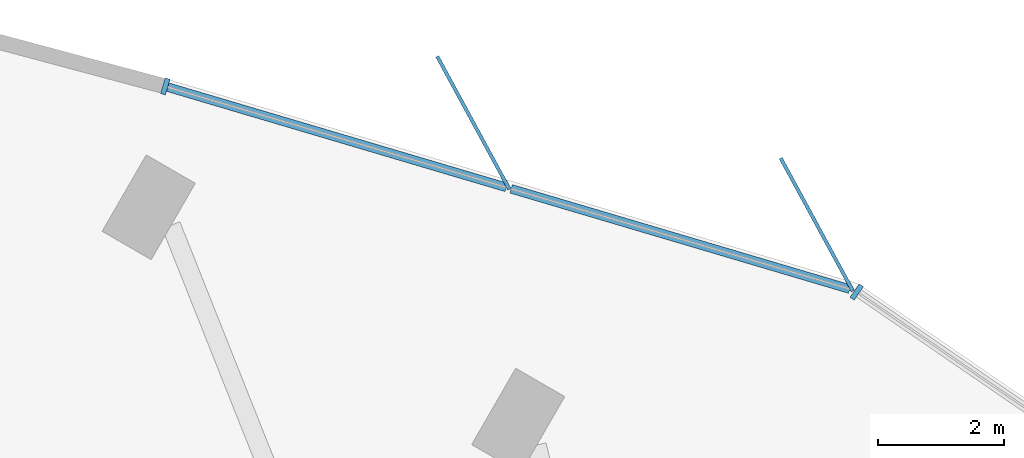
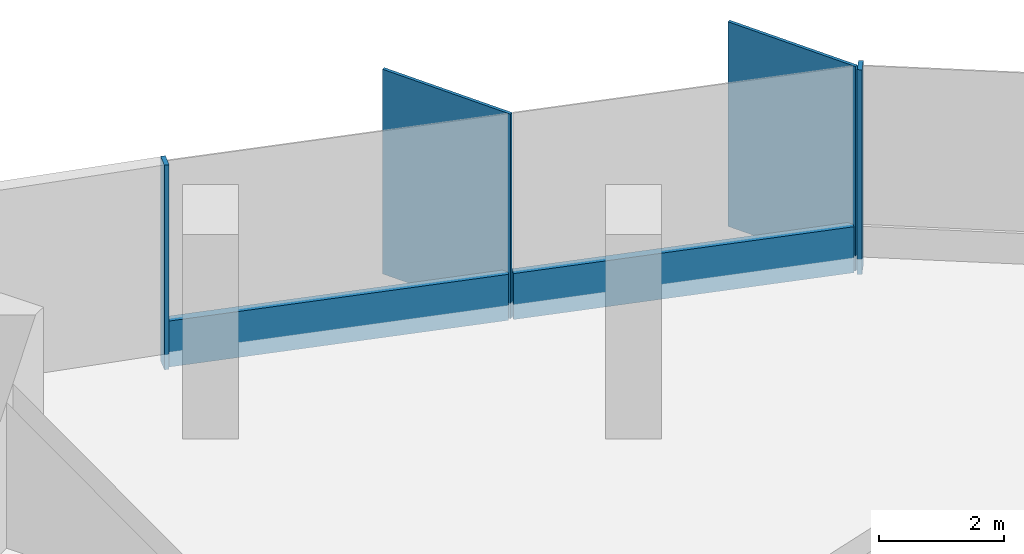
# One storey, part 6 of 13: 6 members, 2 elements without a shape of their own.
"""IFC4 building model written with IfcOpenShell, lengths in metres."""

import ifcopenshell
import ifcopenshell.guid

model = None  # the IFC model being written
_history = None  # IfcOwnerHistory: only IFC2X3 demands one
_inside = {}  # id of a spatial element -> (the spatial element, [elements in it])
_under = {}  # id of a project, library or spatial element -> (it, [spatial elements below it])
_declared = {}  # id of a project -> (the project, [libraries it declares])
_typed = {}  # id of a type object -> (the type object, [elements of that type])
_made_of = {}  # id of a material, layer set ... -> (it, [elements and type objects made of it])


def new_model(schema):
    """Start an empty IFC model of exactly this schema.

    Asked for "IFC4X3", IfcOpenShell would pick the latest addendum, in which some entities
    have other attributes; the version numbers below select the first issue.
    IFC2X3 requires an IfcOwnerHistory on every rooted entity: one is made here for all.
    """
    global model, _history
    if schema == "IFC4X3":
        model = ifcopenshell.file(schema_version=(4, 3, 0, 0))
    else:
        model = ifcopenshell.file(schema=schema)
    _inside.clear()
    _under.clear()
    _declared.clear()
    _typed.clear()
    _made_of.clear()
    _history = None
    if model.schema == "IFC2X3":
        org = make("IfcOrganization", Name="unknown")
        user = make(
            "IfcPersonAndOrganization",
            ThePerson=make("IfcPerson", FamilyName="unknown"),
            TheOrganization=org,
        )
        app = make(
            "IfcApplication",
            ApplicationDeveloper=org,
            Version="unknown",
            ApplicationFullName="unknown",
            ApplicationIdentifier="unknown",
        )
        _history = make(
            "IfcOwnerHistory",
            OwningUser=user,
            OwningApplication=app,
            ChangeAction="ADDED",
            CreationDate=0,
        )
    return model


def make(cls, **values):
    """One entity of the class cls with the attributes given. An attribute that is None is left unset."""
    return model.create_entity(
        cls, **{name: value for name, value in values.items() if value is not None}
    )


def rooted(cls, **values):
    """An entity with a GlobalId (a new one), such as an element, a storey or a relation."""
    return make(cls, GlobalId=ifcopenshell.guid.new(), OwnerHistory=_history, **values)


def si_unit(unit_type, name, prefix=None):
    """IfcSIUnit, for example si_unit("LENGTHUNIT", "METRE", prefix="MILLI")."""
    return make("IfcSIUnit", UnitType=unit_type, Prefix=prefix, Name=name)


def assignment(units):
    """IfcUnitAssignment: the units of a project."""
    return None if units is None else make("IfcUnitAssignment", Units=units)


def point(xyz):
    """IfcCartesianPoint."""
    return None if xyz is None else make("IfcCartesianPoint", Coordinates=xyz)


def direction(xyz):
    """IfcDirection."""
    return None if xyz is None else make("IfcDirection", DirectionRatios=xyz)


def frame(location, z_axis=None, x_axis=None):
    """IfcAxis2Placement3D, a coordinate frame: its origin and axes. An axis left out is left unset."""
    return make(
        "IfcAxis2Placement3D",
        Location=point(location),
        Axis=direction(z_axis),
        RefDirection=direction(x_axis),
    )


def frame_2d(location, x_axis=None):
    """IfcAxis2Placement2D, a coordinate frame in the plane: its origin and x axis."""
    return make(
        "IfcAxis2Placement2D", Location=point(location), RefDirection=direction(x_axis)
    )


def origin():
    """The frame at (0, 0, 0) with its axes left unset."""
    return frame((0.0, 0.0, 0.0))


def origin_2d():
    """The frame at (0, 0) in the plane with its x axis left unset."""
    return frame_2d((0.0, 0.0))


def place(relative_to, where):
    """IfcLocalPlacement: puts the frame where relative to a parent placement (None: the world)."""
    return make(
        "IfcLocalPlacement", PlacementRelTo=relative_to, RelativePlacement=where
    )


def context(
    kind, dimensions, precision=None, world=None, true_north=None, identifier=None
):
    """IfcGeometricRepresentationContext, for example the 3D "Model" context."""
    return make(
        "IfcGeometricRepresentationContext",
        ContextIdentifier=identifier,
        ContextType=kind,
        CoordinateSpaceDimension=dimensions,
        Precision=precision,
        WorldCoordinateSystem=world,
        TrueNorth=true_north,
    )


def subcontext(parent, identifier, kind, view, scale=None):
    """IfcGeometricRepresentationSubContext, for example "Body" below "Model"."""
    return make(
        "IfcGeometricRepresentationSubContext",
        ContextIdentifier=identifier,
        ContextType=kind,
        ParentContext=parent,
        TargetScale=scale,
        TargetView=view,
    )


def project(units=None, contexts=None):
    """IfcProject with its units and contexts."""
    return rooted(
        "IfcProject",
        Name="project",
        RepresentationContexts=contexts,
        UnitsInContext=assignment(units),
    )


def spatial(cls, under=None, at=None, **own):
    """A site, building, storey or space (cls), placed at a placement, below another one or the project."""
    s = rooted(cls, ObjectPlacement=at, **own)
    if under is not None:
        _under.setdefault(under.id(), (under, []))[1].append(s)
    return s


def profile(cls, at=None, kind="AREA", **sizes):
    """A parametric profile (cls). Its sizes go by their IFC names, for example OverallWidth=200.0."""
    return make(cls, ProfileType=kind, Position=at, **sizes)


def rectangle(**sizes):
    """IfcRectangleProfileDef."""
    return profile("IfcRectangleProfileDef", **sizes)


def extrude(swept, where, along, depth):
    """IfcExtrudedAreaSolid: the profile swept, set in the frame where, extruded along a direction by depth."""
    return make(
        "IfcExtrudedAreaSolid",
        SweptArea=swept,
        Position=where,
        ExtrudedDirection=direction(along),
        Depth=depth,
    )


def shape(context_of_items, identifier, shape_type, items):
    """IfcShapeRepresentation: the items that make up one representation, for example the "Body"."""
    return make(
        "IfcShapeRepresentation",
        ContextOfItems=context_of_items,
        RepresentationIdentifier=identifier,
        RepresentationType=shape_type,
        Items=items,
    )


def material(Name=None, Category=None):
    """IfcMaterial."""
    return make("IfcMaterial", Name=Name, Category=Category)


def material_profile(
    of_material, cross_section, Name=None, Category=None, Priority=None
):
    """IfcMaterialProfile: a cross section and its material."""
    return make(
        "IfcMaterialProfile",
        Name=Name,
        Material=of_material,
        Profile=cross_section,
        Priority=Priority,
        Category=Category,
    )


def profile_set(profiles, Name=None, composite=None):
    """IfcMaterialProfileSet."""
    return make(
        "IfcMaterialProfileSet",
        Name=Name,
        MaterialProfiles=profiles,
        CompositeProfile=composite,
    )


def made_of(thing, what):
    """Note that an element or type object is made of a material, layer set ...; save() writes the relation."""
    if what is not None:
        _made_of.setdefault(what.id(), (what, []))[1].append(thing)
    return thing


def type_object(cls, material=None, **own):
    """A type object (cls), such as IfcWallType, which elements share."""
    return made_of(rooted(cls, **own), material)


def element(
    cls,
    number,
    at=None,
    inside=None,
    cuts=None,
    type_object=None,
    material=None,
    context=None,
    identifier="Body",
    shape_type=None,
    held_by="IfcProductDefinitionShape",
    body=None,
    shapes=None,
    **own,
):
    """One element of the class cls, such as IfcWall. Its Tag is "e" and its number.

    at: its placement. inside: the storey or other place that contains it. cuts: it is an
    opening in that element (IfcRelVoidsElement). A single representation is given by context,
    identifier, shape_type and body (its items); several are given by shapes. held_by: the class
    of the entity that holds the representations. save() writes the other relations.
    """
    e = rooted(cls, Tag="e%d" % number, ObjectPlacement=at, **own)
    if body is not None:
        shapes = [shape(context, identifier, shape_type, body)]
    if shapes is not None:
        e.Representation = make(held_by, Representations=shapes)
    if inside is not None:
        _inside.setdefault(inside.id(), (inside, []))[1].append(e)
    if cuts is not None:
        rooted(
            "IfcRelVoidsElement", RelatingBuildingElement=cuts, RelatedOpeningElement=e
        )
    if type_object is not None:
        _typed.setdefault(type_object.id(), (type_object, []))[1].append(e)
    return made_of(e, material)


def aggregate(whole, parts):
    """IfcRelAggregates: a whole, such as a stair, and the parts it consists of."""
    return rooted("IfcRelAggregates", RelatingObject=whole, RelatedObjects=parts)


def save(model, path):
    """Write the relations noted so far, then the file.

    IfcRelAggregates (storeys below a building ...), IfcRelContainedInSpatialStructure (elements
    in a storey), IfcRelDefinesByType, IfcRelAssociatesMaterial and IfcRelDeclares: one each for
    every whole, place, type object, material and project.
    """
    for whole, parts in _under.values():
        aggregate(whole, parts)
    for where, things in _inside.values():
        rooted(
            "IfcRelContainedInSpatialStructure",
            RelatedElements=things,
            RelatingStructure=where,
        )
    for kind, things in _typed.values():
        rooted("IfcRelDefinesByType", RelatedObjects=things, RelatingType=kind)
    for what, things in _made_of.values():
        rooted("IfcRelAssociatesMaterial", RelatedObjects=things, RelatingMaterial=what)
    for by, libraries in _declared.values():
        rooted("IfcRelDeclares", RelatingContext=by, RelatedDefinitions=libraries)
    model.write(path)


model = new_model("IFC4")

# Units and contexts
model_context = context("Model", 3, precision=1e-05, world=origin(), true_north=direction((0.0, 1.0)))
body_context = subcontext(model_context, "Body", "Model", "MODEL_VIEW")
ifc_project = project(units=[si_unit("LENGTHUNIT", "METRE"), si_unit("AREAUNIT", "SQUARE_METRE"), si_unit("VOLUMEUNIT", "CUBIC_METRE"), si_unit("PLANEANGLEUNIT", "RADIAN"), si_unit("MASSUNIT", "GRAM", prefix="KILO")], contexts=[model_context])

# Site, building, storey
site_placement = place(None, origin())
site = spatial("IfcSite", under=ifc_project, at=site_placement, CompositionType="ELEMENT")
building_placement = place(site_placement, origin())
building = spatial("IfcBuilding", under=site, at=building_placement, Name="Tanit Gate Tower", CompositionType="ELEMENT")
storey_placement = place(building_placement, frame((0.0, 0.0, 265.199951171875)))
storey = spatial("IfcBuildingStorey", under=building, at=storey_placement, Name="L60", CompositionType="ELEMENT", Elevation=265.199951171875)

# Curtain wall, members
ifc_material_1 = material(Name="Aluminium bronze anodised and glass", Category="aluminium")
curtain_wall_type = type_object("IfcCurtainWallType", Name="Curtain wall typical mid", PredefinedType="NOTDEFINED", material=ifc_material_1)
curtain_wall_1_placement = place(storey_placement, origin())
curtain_wall_1 = element("IfcCurtainWall", 1, at=curtain_wall_1_placement, inside=storey, type_object=curtain_wall_type, Name="Curtain wall L60 NE3", PredefinedType="NOTDEFINED")
ifc_material_2 = material(Name="Aluminium bronze anodised", Category="aluminium")
ifc_material_profile_1 = material_profile(ifc_material_2, rectangle(XDim=2.39990234375, YDim=0.055908203125, at=origin_2d()), Name="56x2400 bronze fin mullion")
ifc_profile_set_1 = profile_set([ifc_material_profile_1], Name="Aluminium bronze anodised")
member_type_1 = type_object("IfcMemberType", Name="FIN MULLION 56x2400 bronze", PredefinedType="MULLION", material=ifc_profile_set_1)
member_1_placement = place(storey_placement, frame((-2.2919921875, 31.559814453125, -0.300048828125), z_axis=(0.0, 0.0, 1.0), x_axis=(0.477246259846, -0.878769598622, 0.0)))
member_1 = element("IfcMember", 2, at=member_1_placement, type_object=member_type_1, Name="Fin mullion L60 NE3.1", PredefinedType="MULLION", context=body_context, shape_type="SweptSolid", body=[
    extrude(rectangle(XDim=2.39990234375, YDim=0.055908203125, at=origin_2d()), origin(), (0.0, 0.0, 1.0), 4.0),
])
member_2_placement = place(storey_placement, frame((-7.7431640625, 33.174072265625, -0.300048828125), z_axis=(0.0, 0.0, 1.0), x_axis=(0.477246259846, -0.878769598622, 0.0)))
member_2 = element("IfcMember", 3, at=member_2_placement, type_object=member_type_1, Name="Fin mullion L60 NE3.2", PredefinedType="MULLION", context=body_context, shape_type="SweptSolid", body=[
    extrude(rectangle(XDim=2.39990234375, YDim=0.055908203125, at=origin_2d()), origin(), (0.0, 0.0, 1.0), 4.0),
])

# Curtain wall, member
curtain_wall_2_placement = place(storey_placement, origin())
curtain_wall_2 = element("IfcCurtainWall", 4, at=curtain_wall_2_placement, inside=storey, type_object=curtain_wall_type, Name="Curtain wall L60 NE2", PredefinedType="NOTDEFINED")
ifc_material_3 = material(Name="Aluminium bronze anodised", Category="aluminium")
ifc_material_profile_2 = material_profile(ifc_material_3, rectangle(XDim=0.260009765625, YDim=0.080078125, at=origin_2d()), Name="80x260 bronze mullion")
ifc_profile_set_2 = profile_set([ifc_material_profile_2], Name="Aluminium bronze anodised")
member_type_2 = type_object("IfcMemberType", Name="Mullion 80x260 typical mid", PredefinedType="MULLION", material=ifc_profile_set_2)
member_3_placement = place(storey_placement, frame((-1.657958984375, 30.489990234375, -0.300048828125), z_axis=(0.0, 0.0, 1.0), x_axis=(-0.565779513784, -0.824556572821, 0.0)))
member_3 = element("IfcMember", 5, at=member_3_placement, type_object=member_type_2, Name="Mullion L60 NE2.5", PredefinedType="MULLION", context=body_context, shape_type="SweptSolid", body=[
    extrude(rectangle(XDim=0.260009765625, YDim=0.080078125, at=origin_2d()), origin(), (0.0, 0.0, 1.0), 4.0),
])
aggregate(curtain_wall_2, [member_3])

# Member
member_4_placement = place(storey_placement, frame((-12.631591796875, 33.752197265625, -0.300048828125), z_axis=(0.0, 0.0, 1.0), x_axis=(-0.283919875653, -0.95884800892, 0.0)))
member_4 = element("IfcMember", 6, at=member_4_placement, type_object=member_type_2, Name="Mullion L60 NE3.3", PredefinedType="MULLION", context=body_context, shape_type="SweptSolid", body=[
    extrude(rectangle(XDim=0.260009765625, YDim=0.080078125, at=origin_2d()), origin(), (0.0, 0.0, 1.0), 4.0),
])

ifc_material_4 = material(Name="Aluminium bronze anodised", Category="aluminium")
ifc_material_profile_3 = material_profile(ifc_material_4, rectangle(XDim=0.139892578125, YDim=0.89990234375, at=origin_2d()), Name="140x900 bronze transom")
ifc_profile_set_3 = profile_set([ifc_material_profile_3], Name="Aluminium bronze anodised")
member_type_3 = type_object("IfcMemberType", Name="Transom 140x900 typical mid", PredefinedType="USERDEFINED", material=ifc_profile_set_3)
member_5_placement = place(storey_placement, frame((-1.767822265625, 30.535400390625, 0.150146484375), z_axis=(-0.9588499493, 0.283913322561, 0.0), x_axis=(-0.283913322561, -0.9588499493, 0.0)))
member_5 = element("IfcMember", 7, at=member_5_placement, type_object=member_type_3, Name="Transom L60 NE3.1", ObjectType="TRANSOM", PredefinedType="USERDEFINED", context=body_context, shape_type="SweptSolid", body=[
    extrude(rectangle(XDim=0.139892578125, YDim=0.89990234375, at=origin_2d()), origin(), (0.0, 0.0, 1.0), 5.60498046875),
])

member_6_placement = place(storey_placement, frame((-7.21875, 32.1494140625, 0.150146484375), z_axis=(-0.958841602534, 0.283941510263, 0.0), x_axis=(-0.283941510263, -0.958841602534, 0.0)))
member_6 = element("IfcMember", 8, at=member_6_placement, type_object=member_type_3, Name="Transom L60 NE3.2", ObjectType="TRANSOM", PredefinedType="USERDEFINED", context=body_context, shape_type="SweptSolid", body=[
    extrude(rectangle(XDim=0.139892578125, YDim=0.89990234375, at=origin_2d()), origin(), (0.0, 0.0, 1.0), 5.605224609375),
])

aggregate(curtain_wall_1, [member_1, member_2, member_4, member_5, member_6])

save(model, "model.ifc")
